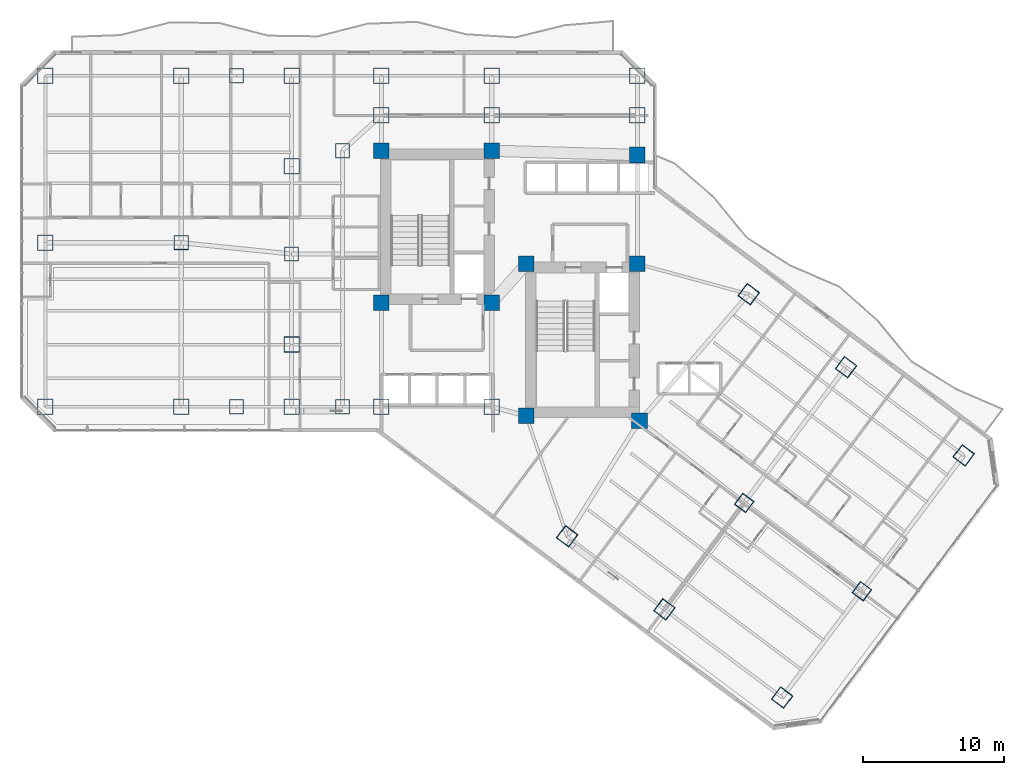
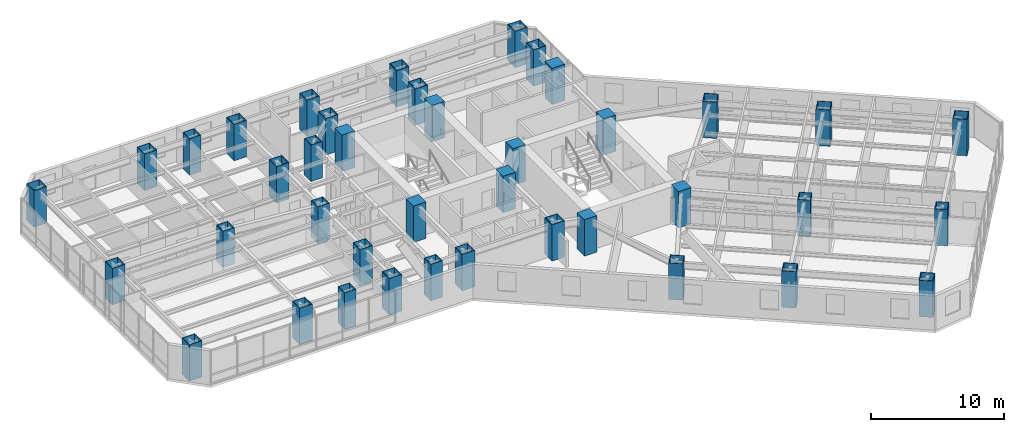
# One storey, part 1 of 33: 40 columns.
"""IFC4 building model written with IfcOpenShell, lengths in metres."""

from ifc_helpers import new_model, si_unit, direction, frame, origin, origin_2d, place, context, subcontext, project, spatial, rectangle, hollow_rectangle, extrude, material, material_profile, profile_set, type_object, element, save


model = new_model("IFC4")

# Units and contexts
model_context = context("Model", 3, precision=1e-05, world=origin(), true_north=direction((0.0, 1.0)))
body_context = subcontext(model_context, "Body", "Model", "MODEL_VIEW")
ifc_project = project(units=[si_unit("LENGTHUNIT", "METRE"), si_unit("AREAUNIT", "SQUARE_METRE"), si_unit("VOLUMEUNIT", "CUBIC_METRE"), si_unit("PLANEANGLEUNIT", "RADIAN"), si_unit("MASSUNIT", "GRAM", prefix="KILO")], contexts=[model_context])

# Site, building, storey
site_placement = place(None, origin())
site = spatial("IfcSite", under=ifc_project, at=site_placement, CompositionType="ELEMENT")
building_placement = place(site_placement, origin())
building = spatial("IfcBuilding", under=site, at=building_placement, Name="Hatsunagi Terrace Concourse", CompositionType="ELEMENT")
storey_placement = place(building_placement, frame((0.0, 0.0, 56.699951171875)))
storey = spatial("IfcBuildingStorey", under=building, at=storey_placement, Name="L14", CompositionType="ELEMENT", Elevation=56.699951171875)

# Columns
ifc_material_1 = material(Name="Concrete Fc60", Category="concrete")
ifc_material_profile_1 = material_profile(ifc_material_1, rectangle(XDim=1.10009765625, YDim=1.10009765625, at=origin_2d()), Name="RC-1100x1100")
ifc_profile_set_1 = profile_set([ifc_material_profile_1], Name="Concrete Fc60")
column_type_1 = type_object("IfcColumnType", Name="CoreColumn_RC_1100x1100", PredefinedType="COLUMN", material=ifc_profile_set_1)
for number, where, z_axis, x_axis, name in (
    (1, (25.550048828125, 32.550048828125, 0.0), (0.0, 0.0, 1.0), (1.0, 0.0, 0.0), "Column C-01 L14-CASW"),
    (2, (33.35009765625, 32.550048828125, 0.0), (0.0, 0.0, 1.0), (1.0, 0.0, 0.0), "Column C-01 L14-CASE"),
    (3, (25.550048828125, 43.300048828125, 0.0), (0.0, 0.0, 1.0), (1.0, 0.0, 0.0), "Column C-01 L14-CANW"),
    (4, (33.35009765625, 43.300048828125, 0.0), (0.0, 0.0, 1.0), (1.0, 0.0, 0.0), "Column C-01 L14-CANE"),
    (5, (35.800048828125, 24.550048828125, 0.0), (0.0, 0.0, 1.0), (1.0, 0.0, 0.0), "Column C-01 L14-CBSW"),
    (6, (43.800048828125, 24.199951171875, 0.0), (0.0, 0.0, 1.0), (1.0, 0.0, 0.0), "Column C-01 L14-CBSE"),
    (7, (35.800048828125, 35.300048828125, 0.0), (0.0, 0.0, 1.0), (1.0, 0.0, 0.0), "Column C-01 L14-CBNW"),
    (8, (43.64990234375, 35.300048828125, 0.0), (0.0, 0.0, 1.0), (1.0, 0.0, 0.0), "Column C-01 L14-CBNE"),
    (9, (43.64990234375, 43.0, 0.0), (0.0, 0.0, 1.0), (1.0, 0.0, 0.0), "Column C-01 L14-K3"),
):
    element("IfcColumn", number, at=place(storey_placement, frame(where, z_axis=z_axis, x_axis=x_axis)), inside=storey, type_object=column_type_1, Name=name, PredefinedType="COLUMN", context=body_context, shape_type="SweptSolid", body=[
        extrude(rectangle(XDim=1.10009765625, YDim=1.10009765625, at=origin_2d()), origin(), (0.0, 0.0, 1.0), 3.35009765625),
    ])
ifc_material_2 = material(Name="Steel BCP325T", Category="steel")
ifc_material_profile_2 = material_profile(ifc_material_2, hollow_rectangle(XDim=1.10009765625, YDim=1.10009765625, WallThickness=0.0400390625, at=origin_2d()), Name="BCP-1100x1100x40")
ifc_profile_set_2 = profile_set([ifc_material_profile_2], Name="Steel BCP325T")
column_type_2 = type_object("IfcColumnType", Name="MegaColumn_BCP_1100x1100x40", PredefinedType="COLUMN", material=ifc_profile_set_2)
for number, where, z_axis, x_axis, name in (
    (10, (25.550048828125, 25.199951171875, 0.0), (0.0, 0.0, 1.0), (1.0, 0.0, 0.0), "Mega column MC-02 L14-K1"),
    (11, (33.35009765625, 25.199951171875, 0.0), (0.0, 0.0, 1.0), (1.0, 0.0, 0.0), "Mega column MC-02 L14-K2"),
    (12, (25.550048828125, 45.800048828125, 0.0), (0.0, 0.0, 1.0), (1.0, 0.0, 0.0), "Mega column MC-02 L14-CN1"),
    (13, (33.35009765625, 45.800048828125, 0.0), (0.0, 0.0, 1.0), (1.0, 0.0, 0.0), "Mega column MC-02 L14-CN2"),
    (14, (43.64990234375, 45.800048828125, 0.0), (0.0, 0.0, 1.0), (1.0, 0.0, 0.0), "Mega column MC-02 L14-CN3"),
    (15, (1.800048828125, 25.199951171875, 0.0), (0.0, 0.0, 1.0), (1.0, 0.0, 0.0), "Mega column MC-02 L14-WS1"),
    (16, (1.800048828125, 48.60009765625, 0.0), (0.0, 0.0, 1.0), (1.0, 0.0, 0.0), "Mega column MC-02 L14-WN1"),
    (17, (1.800048828125, 36.800048828125, 0.0), (0.0, 0.0, 1.0), (1.0, 0.0, 0.0), "Mega column MC-02 L14-WM0"),
    (18, (11.39990234375, 25.199951171875, 0.0), (0.0, 0.0, 1.0), (1.0, 0.0, 0.0), "Mega column MC-02 L14-WS2"),
    (19, (11.39990234375, 48.60009765625, 0.0), (0.0, 0.0, 1.0), (1.0, 0.0, 0.0), "Mega column MC-02 L14-WN2"),
    (20, (19.199951171875, 48.60009765625, 0.0), (0.0, 0.0, 1.0), (1.0, 0.0, 0.0), "Mega column MC-02 L14-WN3"),
    (21, (25.550048828125, 48.60009765625, 0.0), (0.0, 0.0, 1.0), (1.0, 0.0, 0.0), "Mega column MC-02 L14-WN4"),
    (22, (33.35009765625, 48.60009765625, 0.0), (0.0, 0.0, 1.0), (1.0, 0.0, 0.0), "Mega column MC-02 L14-WN5"),
    (23, (43.64990234375, 48.60009765625, 0.0), (0.0, 0.0, 1.0), (1.0, 0.0, 0.0), "Mega column MC-02 L14-WN6"),
    (24, (19.199951171875, 25.199951171875, 0.0), (0.0, 0.0, 1.0), (1.0, 0.0, 0.0), "Mega column MC-02 L14-WS3"),
    (25, (19.199951171875, 29.60009765625, 0.0), (0.0, 0.0, 1.0), (1.0, 0.0, 0.0), "Mega column MC-02 L14-WR1"),
    (26, (19.199951171875, 42.199951171875, 0.0), (0.0, 0.0, 1.0), (1.0, 0.0, 0.0), "Mega column MC-02 L14-WR2"),
    (27, (38.679931640625, 16.0400390625, 0.0), (0.0, 0.0, 1.0), (0.799999996291, -0.600000004945, 0.0), "Mega column MC-02 L14-SES1"),
    (28, (51.52001953125, 33.159912109375, 0.0), (0.0, 0.0, 1.0), (0.799999996291, -0.600000004945, 0.0), "Mega column MC-02 L14-SEN1"),
    (29, (45.56005859375, 10.8798828125, 0.0), (0.0, 0.0, 1.0), (0.799999996291, -0.600000004945, 0.0), "Mega column MC-02 L14-SES2"),
    (30, (58.39990234375, 28.0, 0.0), (0.0, 0.0, 1.0), (0.799999996291, -0.600000004945, 0.0), "Mega column MC-02 L14-SEN2"),
    (31, (53.8798828125, 4.639892578125, 0.0), (0.0, 0.0, 1.0), (0.799999996291, -0.600000004945, 0.0), "Mega column MC-02 L14-SES3"),
    (32, (66.719970703125, 21.760009765625, 0.0), (0.0, 0.0, 1.0), (0.799999996291, -0.600000004945, 0.0), "Mega column MC-02 L14-SEN3"),
):
    element("IfcColumn", number, at=place(storey_placement, frame(where, z_axis=z_axis, x_axis=x_axis)), inside=storey, type_object=column_type_2, Name=name, PredefinedType="COLUMN", context=body_context, shape_type="SweptSolid", body=[
        extrude(hollow_rectangle(XDim=1.10009765625, YDim=1.10009765625, WallThickness=0.0400390625, at=origin_2d()), origin(), (0.0, 0.0, 1.0), 3.35009765625),
    ])
ifc_material_3 = material(Name="Steel BCP325T", Category="steel")
ifc_material_profile_3 = material_profile(ifc_material_3, hollow_rectangle(XDim=1.0, YDim=1.0, WallThickness=0.0380859375, at=origin_2d()), Name="BCP-1000x1000x38")
ifc_profile_set_3 = profile_set([ifc_material_profile_3], Name="Steel BCP325T")
column_type_3 = type_object("IfcColumnType", Name="TowerBoxColumn_1000x1000x38", PredefinedType="COLUMN", material=ifc_profile_set_3)
for number, where, z_axis, x_axis, name in (
    (33, (22.800048828125, 25.199951171875, 0.0), (0.0, 0.0, 1.0), (1.0, 0.0, 0.0), "Column C-03 L14-CW1"),
    (34, (22.800048828125, 43.300048828125, 0.0), (0.0, 0.0, 1.0), (1.0, 0.0, 0.0), "Column C-03 L14-CW2"),
    (35, (11.39990234375, 36.800048828125, 0.0), (0.0, 0.0, 1.0), (1.0, 0.0, 0.0), "Column C-03 L14-WT1"),
    (36, (19.199951171875, 36.0, 0.0), (0.0, 0.0, 1.0), (1.0, 0.0, 0.0), "Column C-03 L14-WT2"),
    (37, (15.300048828125, 25.199951171875, 0.0), (0.0, 0.0, 1.0), (1.0, 0.0, 0.0), "Column C-03 L14-WT3"),
    (38, (15.300048828125, 48.60009765625, 0.0), (0.0, 0.0, 1.0), (1.0, 0.0, 0.0), "Column C-03 L14-WT4"),
    (39, (51.199951171875, 18.39990234375, 0.0), (0.0, 0.0, 1.0), (0.799999996291, -0.600000004945, 0.0), "Column C-03 L14-SEM2"),
    (40, (59.52001953125, 12.159912109375, 0.0), (0.0, 0.0, 1.0), (0.799999996291, -0.600000004945, 0.0), "Column C-03 L14-SEM3"),
):
    element("IfcColumn", number, at=place(storey_placement, frame(where, z_axis=z_axis, x_axis=x_axis)), inside=storey, type_object=column_type_3, Name=name, PredefinedType="COLUMN", context=body_context, shape_type="SweptSolid", body=[
        extrude(hollow_rectangle(XDim=1.0, YDim=1.0, WallThickness=0.0380859375, at=origin_2d()), origin(), (0.0, 0.0, 1.0), 3.35009765625),
    ])

save(model, "model.ifc")
